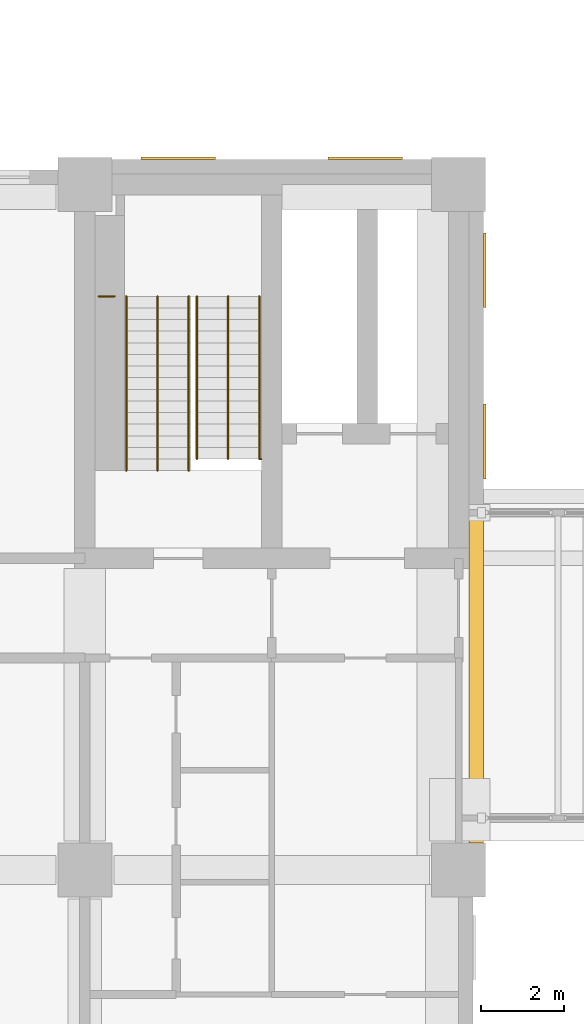
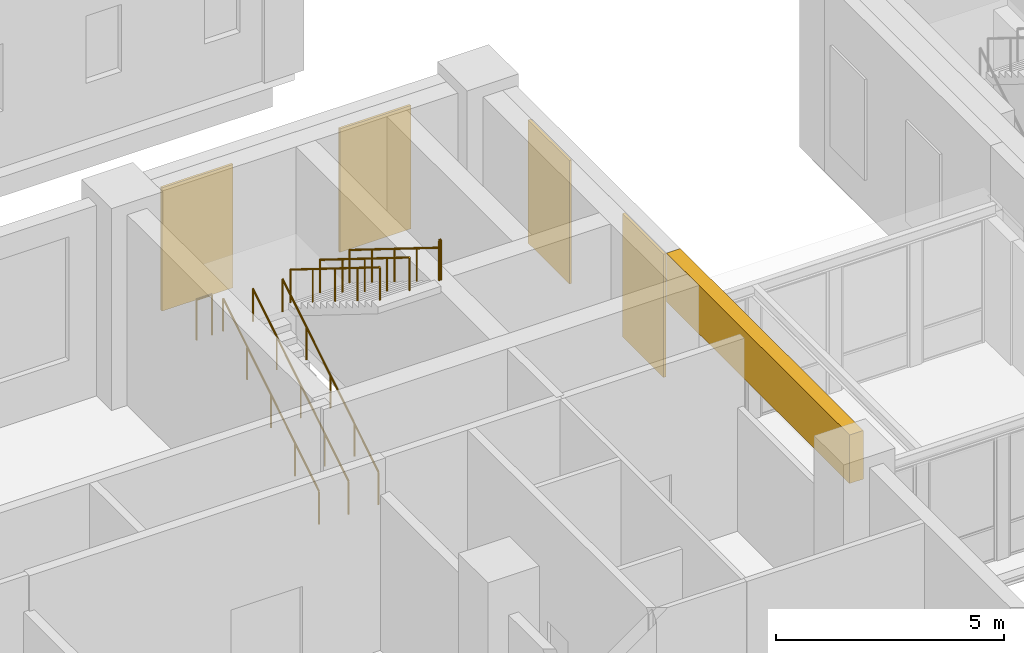
# One storey, part 43 of 52: 8 railings, 5 coverings.
"""IFC4 building model written with IfcOpenShell, lengths in metres."""

from ifc_helpers import new_model, si_unit, direction, frame, origin, origin_2d, place, context, subcontext, project, spatial, rectangle, circle, extrude, material, layer, layer_set, type_object, element, save


model = new_model("IFC4")

# Units and contexts
model_context = context("Model", 3, precision=1e-05, world=origin(), true_north=direction((0.0, 1.0)))
body_context = subcontext(model_context, "Body", "Model", "MODEL_VIEW")
ifc_project = project(units=[si_unit("LENGTHUNIT", "METRE"), si_unit("AREAUNIT", "SQUARE_METRE"), si_unit("VOLUMEUNIT", "CUBIC_METRE"), si_unit("PLANEANGLEUNIT", "RADIAN"), si_unit("MASSUNIT", "GRAM", prefix="KILO")], contexts=[model_context])

# Site, building, storey
site_placement = place(None, origin())
site = spatial("IfcSite", under=ifc_project, at=site_placement, CompositionType="ELEMENT")
building_placement = place(site_placement, origin())
building = spatial("IfcBuilding", under=site, at=building_placement, Name="Aurelan Courthouse", CompositionType="ELEMENT")
storey_placement = place(building_placement, frame((0.0, 0.0, 6.60009765625)))
storey = spatial("IfcBuildingStorey", under=building, at=storey_placement, Name="L01", CompositionType="ELEMENT", Elevation=6.60009765625)

# Coverings
ifc_material_1 = material(Name="Bronze sheet cladding")
ifc_layer_1 = layer(ifc_material_1, 0.06005859375)
ifc_layer_set_1 = layer_set([ifc_layer_1], Name="Bronze sheet cladding")
covering_type_1 = type_object("IfcCoveringType", Name="Courts' Floors blind bay 1800 x 3300", PredefinedType="CLADDING", material=ifc_layer_set_1)
for number, where, z_axis, x_axis, name in (
    (1, (20.25, 29.1298828125, 1.19970703125), (0.0, 0.0, 1.0), (1.0, 0.0, 0.0), "Blind bay BB-V5-L01-007"),
    (2, (24.75, 29.1298828125, 1.19970703125), (0.0, 0.0, 1.0), (1.0, 0.0, 0.0), "Blind bay BB-V5-L01-008"),
):
    element("IfcCovering", number, at=place(storey_placement, frame(where, z_axis=z_axis, x_axis=x_axis)), inside=storey, type_object=covering_type_1, Name=name, PredefinedType="CLADDING", context=body_context, shape_type="SweptSolid", body=[
        extrude(rectangle(XDim=1.800048828125, YDim=0.06005859375, at=origin_2d()), origin(), (0.0, 0.0, 1.0), 3.300048828125),
    ])
for number, where, z_axis, x_axis, name in (
    (3, (27.6298828125, 22.3125, 1.19970703125), (0.0, 0.0, 1.0), (1.0, 0.0, 0.0), "Blind bay BB-V5-L01-012"),
    (4, (27.6298828125, 26.4375, 1.19970703125), (0.0, 0.0, 1.0), (1.0, 0.0, 0.0), "Blind bay BB-V5-L01-013"),
):
    element("IfcCovering", number, at=place(storey_placement, frame(where, z_axis=z_axis, x_axis=x_axis)), inside=storey, type_object=covering_type_1, Name=name, PredefinedType="CLADDING", context=body_context, shape_type="SweptSolid", body=[
        extrude(rectangle(XDim=0.06005859375, YDim=1.800048828125, at=origin_2d()), origin(), (0.0, 0.0, 1.0), 3.300048828125),
    ])
ifc_material_2 = material(Name="Granite cladding", Category="masonry")
ifc_layer_2 = layer(ifc_material_2, 0.35009765625)
ifc_layer_set_2 = layer_set([ifc_layer_2], Name="Granite cladding")
covering_type_2 = type_object("IfcCoveringType", Name="Granite infill panel 350", PredefinedType="CLADDING", material=ifc_layer_set_2)
covering_placement = place(storey_placement, frame((27.425048828125, 16.66259765625, 3.7998046875), z_axis=(0.0, 0.0, 1.0), x_axis=(1.0, 0.0, 0.0)))
element("IfcCovering", 5, at=covering_placement, inside=storey, type_object=covering_type_2, Name="Facade infill panel FI-V5-L01-001", PredefinedType="CLADDING", context=body_context, shape_type="SweptSolid", body=[
    extrude(rectangle(XDim=0.35009765625, YDim=8.02490234375, at=origin_2d()), origin(), (0.0, 0.0, 1.0), 1.300048828125),
])

# Railings
ifc_material_3 = material(Name="Steel S355", Category="steel")
railing_type_1 = type_object("IfcRailingType", Name="Stair guard 1100", PredefinedType="GUARDRAIL", material=ifc_material_3)
railing_1_placement = place(storey_placement, frame((22.199951171875, 21.889892578125, 5.39990234375)))
element("IfcRailing", 6, at=railing_1_placement, inside=storey, type_object=railing_type_1, Name="Guard ST-5A-L01-H5-C", PredefinedType="GUARDRAIL", context=body_context, shape_type="SweptSolid", body=[
    extrude(circle(Radius=0.02392578125, at=origin_2d()), frame((0.0, 0.0, 1.076171875), z_axis=(1.0, 0.0, 0.0), x_axis=(0.0, 1.0, 0.0)), (0.0, 0.0, 1.0), 0.050048828125),
    extrude(circle(Radius=0.02099609375, at=origin_2d()), origin(), (0.0, 0.0, 1.0), 1.052001953125),
    extrude(circle(Radius=0.02099609375, at=origin_2d()), frame((0.050048828125, 0.0, 0.0)), (0.0, 0.0, 1.0), 1.052001953125),
])
railing_2_placement = place(storey_placement, frame((18.719970703125, 25.81005859375, 2.787109375)))
element("IfcRailing", 7, at=railing_2_placement, inside=storey, type_object=railing_type_1, Name="Guard ST-5A-L01-GL1", PredefinedType="GUARDRAIL", context=body_context, shape_type="SweptSolid", body=[
    extrude(circle(Radius=0.02392578125, at=origin_2d()), frame((0.0, 0.0, 1.076171875), z_axis=(-1.0, 0.0, 0.0), x_axis=(0.0, -1.0, 0.0)), (0.0, 0.0, 1.0), 0.389892578125),
    extrude(circle(Radius=0.02099609375, at=origin_2d()), origin(), (0.0, 0.0, 1.0), 1.052001953125),
    extrude(circle(Radius=0.02099609375, at=origin_2d()), frame((-0.389892578125, 0.0, 0.0)), (0.0, 0.0, 1.0), 1.052001953125),
])
railing_type_2 = type_object("IfcRailingType", Name="Stair handrail 900", PredefinedType="HANDRAIL", material=ifc_material_3)
for number, where, name in (
    (8, (19.0, 21.610107421875, 0.174072265625), "Handrail ST-5A-L01-H1"),
    (9, (20.5, 21.610107421875, 0.174072265625), "Handrail ST-5A-L01-H2"),
    (10, (19.75, 21.610107421875, 0.174072265625), "Handrail ST-5A-L01-H3"),
):
    element("IfcRailing", number, at=place(storey_placement, frame(where)), inside=storey, type_object=railing_type_2, Name=name, PredefinedType="HANDRAIL", context=body_context, shape_type="SweptSolid", body=[
        extrude(circle(Radius=0.02392578125, at=origin_2d()), frame((0.0, 0.0, 0.8759765625), z_axis=(0.0, 0.849080710111, 0.528263142494), x_axis=(-1.0, 0.0, 0.0)), (0.0, 0.0, 1.0), 4.946533203125),
        extrude(circle(Radius=0.02099609375, at=origin_2d()), origin(), (0.0, 0.0, 1.0), 0.851806640625),
        extrude(circle(Radius=0.02099609375, at=origin_2d()), frame((0.0, 1.050048828125, 0.6533203125)), (0.0, 0.0, 1.0), 0.851806640625),
        extrude(circle(Radius=0.02099609375, at=origin_2d()), frame((0.0, 2.10009765625, 1.306640625)), (0.0, 0.0, 1.0), 0.851806640625),
        extrude(circle(Radius=0.02099609375, at=origin_2d()), frame((0.0, 3.14990234375, 1.959716796875)), (0.0, 0.0, 1.0), 0.851806640625),
        extrude(circle(Radius=0.02099609375, at=origin_2d()), frame((0.0, 4.199951171875, 2.613037109375)), (0.0, 0.0, 1.0), 0.851806640625),
    ])
for number, where, name in (
    (11, (20.699951171875, 25.81005859375, 2.961181640625), "Handrail ST-5A-L01-H4"),
    (12, (22.199951171875, 25.81005859375, 2.961181640625), "Handrail ST-5A-L01-H5"),
    (13, (21.449951171875, 25.81005859375, 2.961181640625), "Handrail ST-5A-L01-H6"),
):
    element("IfcRailing", number, at=place(storey_placement, frame(where)), inside=storey, type_object=railing_type_2, Name=name, PredefinedType="HANDRAIL", context=body_context, shape_type="SweptSolid", body=[
        extrude(circle(Radius=0.02392578125, at=origin_2d()), frame((0.0, 0.0, 0.8759765625), z_axis=(0.0, -0.849104567483, 0.528224794457), x_axis=(1.0, 0.0, 0.0)), (0.0, 0.0, 1.0), 4.616943359375),
        extrude(circle(Radius=0.02099609375, at=origin_2d()), origin(), (0.0, 0.0, 1.0), 0.851806640625),
        extrude(circle(Radius=0.02099609375, at=origin_2d()), frame((0.0, -0.97998046875, 0.609619140625)), (0.0, 0.0, 1.0), 0.851806640625),
        extrude(circle(Radius=0.02099609375, at=origin_2d()), frame((0.0, -1.9599609375, 1.21923828125)), (0.0, 0.0, 1.0), 0.851806640625),
        extrude(circle(Radius=0.02099609375, at=origin_2d()), frame((0.0, -2.940185546875, 1.8291015625)), (0.0, 0.0, 1.0), 0.851806640625),
        extrude(circle(Radius=0.02099609375, at=origin_2d()), frame((0.0, -3.920166015625, 2.438720703125)), (0.0, 0.0, 1.0), 0.851806640625),
    ])

save(model, "model.ifc")
